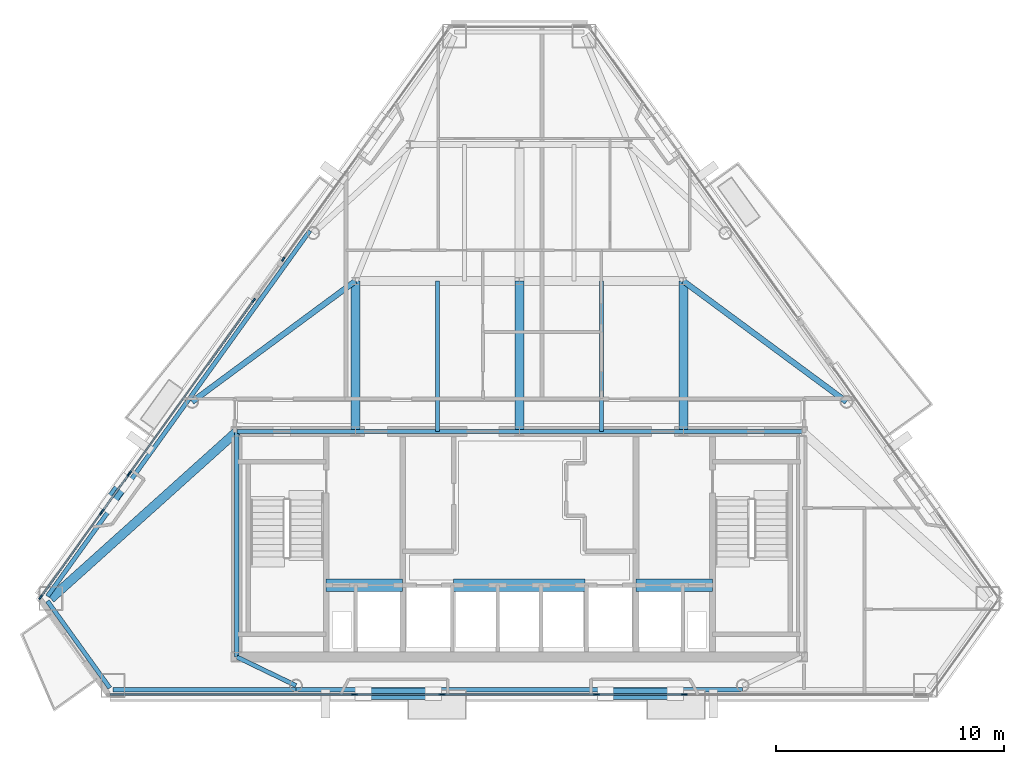
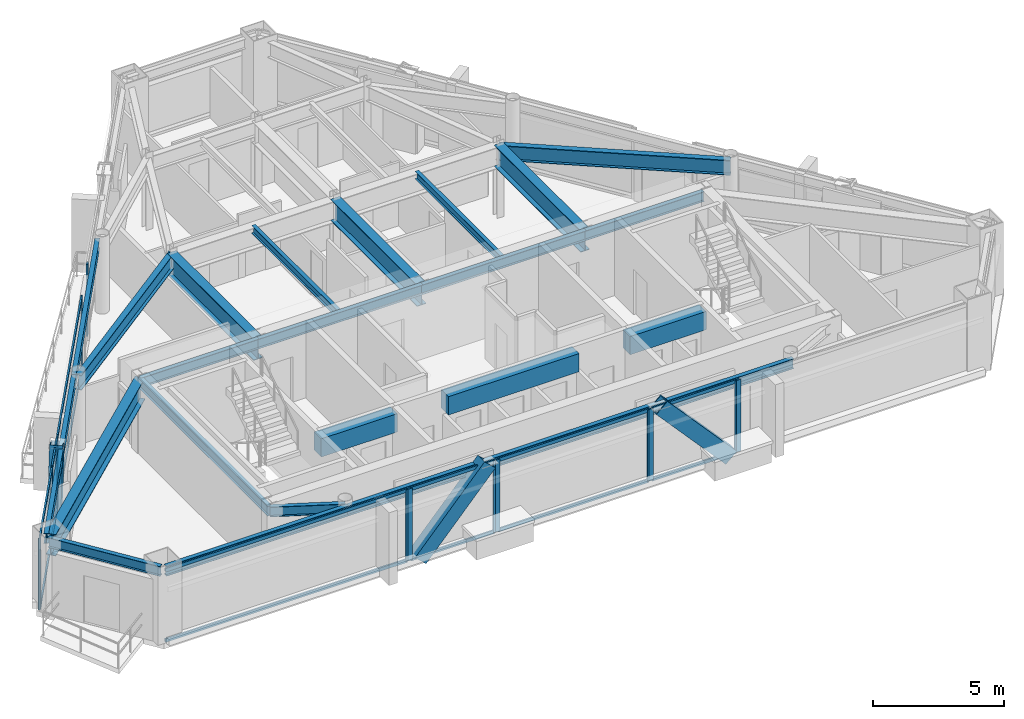
# One storey, part 3 of 11: 32 members, 22 beams, 9 elements without a shape of their own.
"""IFC4 building model written with IfcOpenShell, lengths in metres."""

from ifc_helpers import new_model, si_unit, direction, frame, origin, origin_2d, place, context, subcontext, project, spatial, rectangle, hollow_rectangle, i_section, extrude, material, layer, layer_set, material_profile, profile_set, type_object, element, aggregate, save


model = new_model("IFC4")

# Units and contexts
model_context = context("Model", 3, precision=1e-05, world=origin(), true_north=direction((0.0, 1.0)))
body_context = subcontext(model_context, "Body", "Model", "MODEL_VIEW")
ifc_project = project(units=[si_unit("LENGTHUNIT", "METRE"), si_unit("AREAUNIT", "SQUARE_METRE"), si_unit("VOLUMEUNIT", "CUBIC_METRE"), si_unit("PLANEANGLEUNIT", "RADIAN"), si_unit("MASSUNIT", "GRAM", prefix="KILO")], contexts=[model_context])

# Site, building, storey
site_placement = place(None, origin())
site = spatial("IfcSite", under=ifc_project, at=site_placement, CompositionType="ELEMENT")
building_placement = place(site_placement, origin())
building = spatial("IfcBuilding", under=site, at=building_placement, Name="Talgorran Terracotta Tower", CompositionType="ELEMENT")
storey_placement = place(building_placement, frame((0.0, 0.0, 218.10009765625)))
storey = spatial("IfcBuildingStorey", under=building, at=storey_placement, Name="L57", CompositionType="ELEMENT", Elevation=218.10009765625)

# Beams
ifc_material_1 = material(Name="Steel Grade 350 (350L0)", Category="steel")
ifc_material_profile_1 = material_profile(ifc_material_1, i_section(OverallWidth=0.39990234375, OverallDepth=1.0, WebThickness=0.01611328125, FlangeThickness=0.031005859375, at=origin_2d()), Name="1000WB296")
ifc_profile_set_1 = profile_set([ifc_material_profile_1], Name="Steel Grade 350 (350L0)")
beam_type_1 = type_object("IfcBeamType", Name="BM_1000WB296", PredefinedType="BEAM", material=ifc_profile_set_1)
for number, where, z_axis, x_axis, name in (
    (1, (-7.199951171875, -4.199951171875, 2.844970703125), (0.0, 1.0, 0.0), (-1.0, 0.0, 0.0), "L57 Floor Girder G01"),
    (2, (0.0, -4.199951171875, 2.844970703125), (0.0, 1.0, 0.0), (-1.0, 0.0, 0.0), "L57 Floor Girder G02"),
    (3, (7.199951171875, -4.199951171875, 2.844970703125), (0.0, 1.0, 0.0), (-1.0, 0.0, 0.0), "L57 Floor Girder G03"),
):
    element("IfcBeam", number, at=place(storey_placement, frame(where, z_axis=z_axis, x_axis=x_axis)), inside=storey, type_object=beam_type_1, Name=name, PredefinedType="BEAM", context=body_context, shape_type="SweptSolid", body=[
        extrude(i_section(OverallWidth=0.39990234375, OverallDepth=1.0, WebThickness=0.01611328125, FlangeThickness=0.031005859375, at=origin_2d()), origin(), (0.0, 0.0, 1.0), 6.599853515625),
    ])
beam_1_placement = place(storey_placement, frame((-12.39990234375, -4.199951171875, 2.844970703125), z_axis=(-0.743768255752, -0.668437567567, 0.0), x_axis=(0.668437567567, -0.743768255752, 0.0)))
element("IfcBeam", 4, at=beam_1_placement, inside=storey, type_object=beam_type_1, Name="L57 Floor Girder G17", PredefinedType="BEAM", context=body_context, shape_type="SweptSolid", body=[
    extrude(i_section(OverallWidth=0.39990234375, OverallDepth=1.0, WebThickness=0.01611328125, FlangeThickness=0.031005859375, at=origin_2d()), origin(), (0.0, 0.0, 1.0), 10.980224609375),
])
ifc_material_2 = material(Name="Steel S355 (300PLUS)", Category="steel")
ifc_material_profile_2 = material_profile(ifc_material_2, i_section(OverallWidth=0.25, OverallDepth=0.699951171875, WebThickness=0.011962890625, FlangeThickness=0.02392578125, at=origin_2d()), Name="700WB150")
ifc_profile_set_2 = profile_set([ifc_material_profile_2], Name="Steel S355 (300PLUS)")
beam_type_2 = type_object("IfcBeamType", Name="BM_700WB150", PredefinedType="BEAM", material=ifc_profile_set_2)
for number, where, z_axis, x_axis, name in (
    (5, (-7.199951171875, 2.39990234375, 2.994873046875), (-0.804042856359, -0.594571345708, 0.0), (0.594571345708, -0.804042856359, 0.0), "L57 Floor Girder G06"),
    (6, (7.199951171875, 2.39990234375, 2.994873046875), (0.804042856359, -0.594571345708, 0.0), (0.594571345708, 0.804042856359, 0.0), "L57 Floor Girder G07"),
):
    element("IfcBeam", number, at=place(storey_placement, frame(where, z_axis=z_axis, x_axis=x_axis)), inside=storey, type_object=beam_type_2, Name=name, PredefinedType="BEAM", context=body_context, shape_type="SweptSolid", body=[
        extrude(i_section(OverallWidth=0.25, OverallDepth=0.699951171875, WebThickness=0.011962890625, FlangeThickness=0.02392578125, at=origin_2d()), origin(), (0.0, 0.0, 1.0), 8.9091796875),
    ])
ifc_material_3 = material(Name="Concrete C50/60", Category="concrete")
ifc_material_profile_3 = material_profile(ifc_material_3, rectangle(XDim=0.550048828125, YDim=0.85009765625, at=origin_2d()), Name="RCCB550X850")
ifc_profile_set_3 = profile_set([ifc_material_profile_3], Name="Concrete C50/60")
beam_type_3 = type_object("IfcBeamType", Name="BM_CB_550X850", PredefinedType="LINTEL", material=ifc_profile_set_3)
beam_2_placement = place(storey_placement, frame((-8.47998046875, -10.949951171875, 2.919921875), z_axis=(1.0, 0.0, 0.0), x_axis=(0.0, 1.0, 0.0)))
element("IfcBeam", 7, at=beam_2_placement, inside=storey, type_object=beam_type_3, Name="L57 Core Shear-Wall Coupling Beam CB1", PredefinedType="LINTEL", context=body_context, shape_type="SweptSolid", body=[
    extrude(rectangle(XDim=0.550048828125, YDim=0.85009765625, at=origin_2d()), origin(), (0.0, 0.0, 1.0), 3.35986328125),
])
beam_3_placement = place(storey_placement, frame((-2.8798828125, -10.949951171875, 2.919921875), z_axis=(1.0, 0.0, 0.0), x_axis=(0.0, 1.0, 0.0)))
element("IfcBeam", 8, at=beam_3_placement, inside=storey, type_object=beam_type_3, Name="L57 Core Shear-Wall Coupling Beam CB2", PredefinedType="LINTEL", context=body_context, shape_type="SweptSolid", body=[
    extrude(rectangle(XDim=0.550048828125, YDim=0.85009765625, at=origin_2d()), origin(), (0.0, 0.0, 1.0), 5.759765625),
])
beam_4_placement = place(storey_placement, frame((5.1201171875, -10.949951171875, 2.919921875), z_axis=(1.0, 0.0, 0.0), x_axis=(0.0, 1.0, 0.0)))
element("IfcBeam", 9, at=beam_4_placement, inside=storey, type_object=beam_type_3, Name="L57 Core Shear-Wall Coupling Beam CB3", PredefinedType="LINTEL", context=body_context, shape_type="SweptSolid", body=[
    extrude(rectangle(XDim=0.550048828125, YDim=0.85009765625, at=origin_2d()), origin(), (0.0, 0.0, 1.0), 3.35986328125),
])
ifc_material_profile_4 = material_profile(ifc_material_2, i_section(OverallWidth=0.17138671875, OverallDepth=0.355712890625, WebThickness=0.00732421875, FlangeThickness=0.011474609375, at=origin_2d()), Name="360UB50.7")
ifc_profile_set_4 = profile_set([ifc_material_profile_4], Name="Steel S355 (300PLUS)")
beam_type_4 = type_object("IfcBeamType", Name="BM_JS_360UB51", PredefinedType="JOIST", material=ifc_profile_set_4)
for number, where, z_axis, x_axis, name in (
    (10, (-3.60009765625, -4.199951171875, 3.1669921875), (0.0, 1.0, 0.0), (-1.0, 0.0, 0.0), "L57 Secondary Joist J01"),
    (11, (3.60009765625, -4.199951171875, 3.1669921875), (0.0, 1.0, 0.0), (-1.0, 0.0, 0.0), "L57 Secondary Joist J02"),
):
    element("IfcBeam", number, at=place(storey_placement, frame(where, z_axis=z_axis, x_axis=x_axis)), inside=storey, type_object=beam_type_4, Name=name, PredefinedType="JOIST", context=body_context, shape_type="SweptSolid", body=[
        extrude(i_section(OverallWidth=0.17138671875, OverallDepth=0.355712890625, WebThickness=0.00732421875, FlangeThickness=0.011474609375, at=origin_2d()), origin(), (0.0, 0.0, 1.0), 6.599853515625),
    ])
ifc_material_profile_5 = material_profile(ifc_material_2, i_section(OverallWidth=0.18994140625, OverallDepth=0.45703125, WebThickness=0.009033203125, FlangeThickness=0.014404296875, at=origin_2d()), Name="460UB74.6")
ifc_profile_set_5 = profile_set([ifc_material_profile_5], Name="Steel S355 (300PLUS)")
beam_type_5 = type_object("IfcBeamType", Name="BM_SP_460UB74", PredefinedType="SPANDREL", material=ifc_profile_set_5)
beam_5_placement = place(storey_placement, frame((-20.712890625, -11.64453125, 3.116455078125), z_axis=(0.583096756271, -0.812402715915, 0.0), x_axis=(0.812402715915, 0.583096756271, 0.0)))
element("IfcBeam", 12, at=beam_5_placement, inside=storey, type_object=beam_type_5, Name="L57 Perimeter Spandrel Beam MC1-MC2", PredefinedType="SPANDREL", context=body_context, shape_type="SweptSolid", body=[
    extrude(i_section(OverallWidth=0.18994140625, OverallDepth=0.45703125, WebThickness=0.009033203125, FlangeThickness=0.014404296875, at=origin_2d()), origin(), (0.0, 0.0, 1.0), 4.693115234375),
])
beam_6_placement = place(storey_placement, frame((-17.830078125, -15.5322265625, 3.116455078125), z_axis=(1.0, 0.0, 0.0), x_axis=(0.0, 1.0, 0.0)))
element("IfcBeam", 13, at=beam_6_placement, inside=storey, type_object=beam_type_5, Name="L57 Perimeter Spandrel Beam MC2-FC1", PredefinedType="SPANDREL", context=body_context, shape_type="SweptSolid", body=[
    extrude(i_section(OverallWidth=0.18994140625, OverallDepth=0.45703125, WebThickness=0.009033203125, FlangeThickness=0.014404296875, at=origin_2d()), origin(), (0.0, 0.0, 1.0), 8.0234375),
])
beam_7_placement = place(storey_placement, frame((-9.806640625, -15.5322265625, 3.116455078125), z_axis=(1.0, 0.0, 0.0), x_axis=(0.0, 1.0, 0.0)))
element("IfcBeam", 14, at=beam_7_placement, inside=storey, type_object=beam_type_5, Name="L57 Perimeter Spandrel Beam FC1-FC2", PredefinedType="SPANDREL", context=body_context, shape_type="SweptSolid", body=[
    extrude(i_section(OverallWidth=0.18994140625, OverallDepth=0.45703125, WebThickness=0.009033203125, FlangeThickness=0.014404296875, at=origin_2d()), origin(), (0.0, 0.0, 1.0), 19.61328125),
])
beam_8_placement = place(storey_placement, frame((-9.192626953125, 4.615478515625, 3.116455078125), z_axis=(-0.583100770976, -0.812399834372, 0.0), x_axis=(0.812399834372, -0.583100770976, 0.0)))
element("IfcBeam", 15, at=beam_8_placement, inside=storey, type_object=beam_type_5, Name="L57 Perimeter Spandrel Beam FC5-FC6", PredefinedType="SPANDREL", context=body_context, shape_type="SweptSolid", body=[
    extrude(i_section(OverallWidth=0.18994140625, OverallDepth=0.45703125, WebThickness=0.009033203125, FlangeThickness=0.014404296875, at=origin_2d()), origin(), (0.0, 0.0, 1.0), 9.118408203125),
])
beam_9_placement = place(storey_placement, frame((-14.509521484375, -2.792236328125, 3.116455078125), z_axis=(-0.583120966057, -0.812385338953, 0.0), x_axis=(0.812385338953, -0.583120966057, 0.0)))
element("IfcBeam", 16, at=beam_9_placement, inside=storey, type_object=beam_type_5, Name="L57 Perimeter Spandrel Beam FC6-MC1", PredefinedType="SPANDREL", context=body_context, shape_type="SweptSolid", body=[
    extrude(i_section(OverallWidth=0.18994140625, OverallDepth=0.45703125, WebThickness=0.009033203125, FlangeThickness=0.014404296875, at=origin_2d()), origin(), (0.0, 0.0, 1.0), 10.63818359375),
])
beam_10_placement = place(storey_placement, frame((-9.806640625, -15.352294921875, 3.116455078125), z_axis=(-0.900513862936, 0.434827302109, 0.0), x_axis=(-0.434827302109, -0.900513862936, 0.0)))
element("IfcBeam", 17, at=beam_10_placement, inside=storey, type_object=beam_type_5, Name="L57 South-West Core Tie Beam", PredefinedType="SPANDREL", context=body_context, shape_type="SweptSolid", body=[
    extrude(i_section(OverallWidth=0.18994140625, OverallDepth=0.45703125, WebThickness=0.009033203125, FlangeThickness=0.014404296875, at=origin_2d()), origin(), (0.0, 0.0, 1.0), 2.879638671875),
])
beam_11_placement = place(storey_placement, frame((-12.39990234375, -14.10009765625, 3.116455078125), z_axis=(0.0, 1.0, 0.0), x_axis=(-1.0, 0.0, 0.0)))
element("IfcBeam", 18, at=beam_11_placement, inside=storey, type_object=beam_type_5, Name="L57 Core Frame Beam CFW", PredefinedType="SPANDREL", context=body_context, shape_type="SweptSolid", body=[
    extrude(i_section(OverallWidth=0.18994140625, OverallDepth=0.45703125, WebThickness=0.009033203125, FlangeThickness=0.014404296875, at=origin_2d()), origin(), (0.0, 0.0, 1.0), 9.900146484375),
])
beam_12_placement = place(storey_placement, frame((-12.39990234375, -4.199951171875, 3.116455078125), z_axis=(1.0, 0.0, 0.0), x_axis=(0.0, 1.0, 0.0)))
element("IfcBeam", 19, at=beam_12_placement, inside=storey, type_object=beam_type_5, Name="L57 Core Frame Beam CFN1", PredefinedType="SPANDREL", context=body_context, shape_type="SweptSolid", body=[
    extrude(i_section(OverallWidth=0.18994140625, OverallDepth=0.45703125, WebThickness=0.009033203125, FlangeThickness=0.014404296875, at=origin_2d()), origin(), (0.0, 0.0, 1.0), 5.199951171875),
])
for number, where, z_axis, x_axis, name in (
    (20, (-7.199951171875, -4.199951171875, 3.116455078125), (1.0, 0.0, 0.0), (0.0, 1.0, 0.0), "L57 Core Frame Beam CFN2"),
    (21, (0.0, -4.199951171875, 3.116455078125), (1.0, 0.0, 0.0), (0.0, 1.0, 0.0), "L57 Core Frame Beam CFN3"),
):
    element("IfcBeam", number, at=place(storey_placement, frame(where, z_axis=z_axis, x_axis=x_axis)), inside=storey, type_object=beam_type_5, Name=name, PredefinedType="SPANDREL", context=body_context, shape_type="SweptSolid", body=[
        extrude(i_section(OverallWidth=0.18994140625, OverallDepth=0.45703125, WebThickness=0.009033203125, FlangeThickness=0.014404296875, at=origin_2d()), origin(), (0.0, 0.0, 1.0), 7.199951171875),
    ])
beam_13_placement = place(storey_placement, frame((7.199951171875, -4.199951171875, 3.116455078125), z_axis=(1.0, 0.0, 0.0), x_axis=(0.0, 1.0, 0.0)))
element("IfcBeam", 22, at=beam_13_placement, inside=storey, type_object=beam_type_5, Name="L57 Core Frame Beam CFN4", PredefinedType="SPANDREL", context=body_context, shape_type="SweptSolid", body=[
    extrude(i_section(OverallWidth=0.18994140625, OverallDepth=0.45703125, WebThickness=0.009033203125, FlangeThickness=0.014404296875, at=origin_2d()), origin(), (0.0, 0.0, 1.0), 5.199951171875),
])

# Members
ifc_material_profile_6 = material_profile(ifc_material_1, hollow_rectangle(XDim=0.52001953125, YDim=0.659912109375, WallThickness=0.034912109375, at=origin_2d()), Name="WBOX660X520X35")
ifc_profile_set_6 = profile_set([ifc_material_profile_6], Name="Steel Grade 350 (350L0)")
member_type_1 = type_object("IfcMemberType", Name="MB_MEGA_660", PredefinedType="BRACE", material=ifc_profile_set_6)
for number, where, z_axis, x_axis, name in (
    (23, (-6.845703125, -15.712158203125, -0.025146484375), (0.669808027282, 0.0, 0.742534313408), (0.0, 1.0, 0.0), "L57 Exterior Face Mega-Brace MB-3 (SWF)"),
    (24, (6.845703125, -15.712158203125, -0.025146484375), (-0.669808027282, 0.0, 0.742534313408), (0.0, -1.0, 0.0), "L57 Exterior Face Mega-Brace MB-3 (SEF)"),
):
    element("IfcMember", number, at=place(storey_placement, frame(where, z_axis=z_axis, x_axis=x_axis)), inside=storey, type_object=member_type_1, Name=name, PredefinedType="BRACE", context=body_context, shape_type="SweptSolid", body=[
        extrude(hollow_rectangle(XDim=0.52001953125, YDim=0.659912109375, WallThickness=0.034912109375, at=origin_2d()), origin(), (0.0, 0.0, 1.0), 4.572265625),
    ])
member_1_placement = place(storey_placement, frame((-18.02490234375, -7.380859375, -0.025146484375), z_axis=(0.18574859012, 0.258821063004, 0.947897208886), x_axis=(-0.812430285491, 0.583058342893, 0.0)))
element("IfcMember", 25, at=member_1_placement, inside=storey, type_object=member_type_1, Name="L57 Exterior Face Mega-Brace MB-3 (NWL)", PredefinedType="BRACE", context=body_context, shape_type="SweptSolid", body=[
    extrude(hollow_rectangle(XDim=0.52001953125, YDim=0.659912109375, WallThickness=0.034912109375, at=origin_2d()), origin(), (0.0, 0.0, 1.0), 3.58154296875),
])

# Curtain wall, member
ifc_material_4 = material(Name="High-Wind Unitised Glazing", Category="glass")
ifc_layer = layer(ifc_material_4, 0.2099609375, Name="CW_SYS3_RES_HIGH")
ifc_layer_set = layer_set([ifc_layer], Name="High-Wind Unitised Glazing")
curtain_wall_type = type_object("IfcCurtainWallType", Name="CW_SYS3_RES_HIGH", PredefinedType="NOTDEFINED", material=ifc_layer_set)
curtain_wall_1_placement = place(storey_placement, origin())
curtain_wall_1 = element("IfcCurtainWall", 26, at=curtain_wall_1_placement, inside=storey, type_object=curtain_wall_type, Name="CW-L57-F1", PredefinedType="NOTDEFINED")
ifc_material_5 = material(Name="Architectural Aluminium 6063-T6", Category="aluminium")
ifc_material_profile_7 = material_profile(ifc_material_5, rectangle(XDim=0.070068359375, YDim=0.199951171875, at=origin_2d()), Name="CWM70X200")
ifc_profile_set_7 = profile_set([ifc_material_profile_7], Name="Architectural Aluminium 6063-T6")
member_type_2 = type_object("IfcMemberType", Name="MUL_70X200", PredefinedType="MULLION", material=ifc_profile_set_7)
member_2_placement = place(storey_placement, frame((-7.28076171875, -15.752197265625, 0.0), z_axis=(0.0, 0.0, 1.0), x_axis=(0.0, 1.0, 0.0)))
member_2 = element("IfcMember", 27, at=member_2_placement, type_object=member_type_2, Name="CW-L57-1 mullion 2", PredefinedType="MULLION", context=body_context, shape_type="SweptSolid", body=[
    extrude(rectangle(XDim=0.070068359375, YDim=0.199951171875, at=origin_2d()), origin(), (0.0, 0.0, 1.0), 3.344970703125),
])

# Curtain wall, members
curtain_wall_2_placement = place(storey_placement, origin())
curtain_wall_2 = element("IfcCurtainWall", 28, at=curtain_wall_2_placement, inside=storey, type_object=curtain_wall_type, Name="CW-L57-F1B", PredefinedType="NOTDEFINED")
member_3_placement = place(storey_placement, frame((-7.20068359375, -15.752197265625, 0.0), z_axis=(0.0, 0.0, 1.0), x_axis=(0.0, 1.0, 0.0)))
member_3 = element("IfcMember", 29, at=member_3_placement, type_object=member_type_2, Name="CW-L57-1B mullion 1", PredefinedType="MULLION", context=body_context, shape_type="SweptSolid", body=[
    extrude(rectangle(XDim=0.070068359375, YDim=0.199951171875, at=origin_2d()), origin(), (0.0, 0.0, 1.0), 3.344970703125),
])
member_4_placement = place(storey_placement, frame((-3.427978515625, -15.752197265625, 0.0), z_axis=(0.0, 0.0, 1.0), x_axis=(0.0, 1.0, 0.0)))
member_4 = element("IfcMember", 30, at=member_4_placement, type_object=member_type_2, Name="CW-L57-1B mullion 2", PredefinedType="MULLION", context=body_context, shape_type="SweptSolid", body=[
    extrude(rectangle(XDim=0.070068359375, YDim=0.199951171875, at=origin_2d()), origin(), (0.0, 0.0, 1.0), 3.344970703125),
])

curtain_wall_3_placement = place(storey_placement, origin())
curtain_wall_3 = element("IfcCurtainWall", 31, at=curtain_wall_3_placement, inside=storey, type_object=curtain_wall_type, Name="CW-L57-F1C", PredefinedType="NOTDEFINED")
member_5_placement = place(storey_placement, frame((-3.34814453125, -15.752197265625, 0.0), z_axis=(0.0, 0.0, 1.0), x_axis=(0.0, 1.0, 0.0)))
member_5 = element("IfcMember", 32, at=member_5_placement, type_object=member_type_2, Name="CW-L57-1C mullion 1", PredefinedType="MULLION", context=body_context, shape_type="SweptSolid", body=[
    extrude(rectangle(XDim=0.070068359375, YDim=0.199951171875, at=origin_2d()), origin(), (0.0, 0.0, 1.0), 3.344970703125),
])
member_6_placement = place(storey_placement, frame((3.34814453125, -15.752197265625, 0.0), z_axis=(0.0, 0.0, 1.0), x_axis=(0.0, 1.0, 0.0)))
member_6 = element("IfcMember", 33, at=member_6_placement, type_object=member_type_2, Name="CW-L57-1C mullion 2", PredefinedType="MULLION", context=body_context, shape_type="SweptSolid", body=[
    extrude(rectangle(XDim=0.070068359375, YDim=0.199951171875, at=origin_2d()), origin(), (0.0, 0.0, 1.0), 3.344970703125),
])

curtain_wall_4_placement = place(storey_placement, origin())
curtain_wall_4 = element("IfcCurtainWall", 34, at=curtain_wall_4_placement, inside=storey, type_object=curtain_wall_type, Name="CW-L57-F1D", PredefinedType="NOTDEFINED")
member_7_placement = place(storey_placement, frame((3.427978515625, -15.752197265625, 0.0), z_axis=(0.0, 0.0, 1.0), x_axis=(0.0, 1.0, 0.0)))
member_7 = element("IfcMember", 35, at=member_7_placement, type_object=member_type_2, Name="CW-L57-1D mullion 1", PredefinedType="MULLION", context=body_context, shape_type="SweptSolid", body=[
    extrude(rectangle(XDim=0.070068359375, YDim=0.199951171875, at=origin_2d()), origin(), (0.0, 0.0, 1.0), 3.344970703125),
])
member_8_placement = place(storey_placement, frame((7.20068359375, -15.752197265625, 0.0), z_axis=(0.0, 0.0, 1.0), x_axis=(0.0, 1.0, 0.0)))
member_8 = element("IfcMember", 36, at=member_8_placement, type_object=member_type_2, Name="CW-L57-1D mullion 2", PredefinedType="MULLION", context=body_context, shape_type="SweptSolid", body=[
    extrude(rectangle(XDim=0.070068359375, YDim=0.199951171875, at=origin_2d()), origin(), (0.0, 0.0, 1.0), 3.344970703125),
])

# Curtain wall, member
curtain_wall_5_placement = place(storey_placement, origin())
curtain_wall_5 = element("IfcCurtainWall", 37, at=curtain_wall_5_placement, inside=storey, type_object=curtain_wall_type, Name="CW-L57-F1E", PredefinedType="NOTDEFINED")
member_9_placement = place(storey_placement, frame((7.28076171875, -15.752197265625, 0.0), z_axis=(0.0, 0.0, 1.0), x_axis=(0.0, 1.0, 0.0)))
member_9 = element("IfcMember", 38, at=member_9_placement, type_object=member_type_2, Name="CW-L57-1E mullion 1", PredefinedType="MULLION", context=body_context, shape_type="SweptSolid", body=[
    extrude(rectangle(XDim=0.070068359375, YDim=0.199951171875, at=origin_2d()), origin(), (0.0, 0.0, 1.0), 3.344970703125),
])
aggregate(curtain_wall_5, [member_9])

curtain_wall_6_placement = place(storey_placement, origin())
curtain_wall_6 = element("IfcCurtainWall", 39, at=curtain_wall_6_placement, inside=storey, type_object=curtain_wall_type, Name="CW-L57-F60C", PredefinedType="NOTDEFINED")
member_10_placement = place(storey_placement, frame((-10.36328125, 3.361572265625, 0.0), z_axis=(0.0, 0.0, 1.0), x_axis=(0.812389554572, -0.583115092947, 0.0)))
member_10 = element("IfcMember", 40, at=member_10_placement, type_object=member_type_2, Name="CW-L57-60C mullion 2", PredefinedType="MULLION", context=body_context, shape_type="SweptSolid", body=[
    extrude(rectangle(XDim=0.070068359375, YDim=0.199951171875, at=origin_2d()), origin(), (0.0, 0.0, 1.0), 3.344970703125),
])
aggregate(curtain_wall_6, [member_10])

# Curtain wall, members
curtain_wall_7_placement = place(storey_placement, origin())
curtain_wall_7 = element("IfcCurtainWall", 41, at=curtain_wall_7_placement, inside=storey, type_object=curtain_wall_type, Name="CW-L57-F61", PredefinedType="NOTDEFINED")
member_11_placement = place(storey_placement, frame((-11.663818359375, 1.550048828125, 0.0), z_axis=(0.0, 0.0, 1.0), x_axis=(0.812387242817, -0.583118313645, 0.0)))
member_11 = element("IfcMember", 42, at=member_11_placement, type_object=member_type_2, Name="CW-L57-61 mullion 1", PredefinedType="MULLION", context=body_context, shape_type="SweptSolid", body=[
    extrude(rectangle(XDim=0.070068359375, YDim=0.199951171875, at=origin_2d()), origin(), (0.0, 0.0, 1.0), 3.344970703125),
])
member_12_placement = place(storey_placement, frame((-17.098876953125, -6.02197265625, 0.0), z_axis=(0.0, 0.0, 1.0), x_axis=(0.812387242817, -0.583118313645, 0.0)))
member_12 = element("IfcMember", 43, at=member_12_placement, type_object=member_type_2, Name="CW-L57-61 mullion 2", PredefinedType="MULLION", context=body_context, shape_type="SweptSolid", body=[
    extrude(rectangle(XDim=0.070068359375, YDim=0.199951171875, at=origin_2d()), origin(), (0.0, 0.0, 1.0), 3.344970703125),
])

curtain_wall_8_placement = place(storey_placement, origin())
curtain_wall_8 = element("IfcCurtainWall", 44, at=curtain_wall_8_placement, inside=storey, type_object=curtain_wall_type, Name="CW-L57-F61B", PredefinedType="NOTDEFINED")
member_13_placement = place(storey_placement, frame((-17.1455078125, -6.087158203125, 0.0), z_axis=(0.0, 0.0, 1.0), x_axis=(0.812381021692, -0.583126980678, 0.0)))
member_13 = element("IfcMember", 45, at=member_13_placement, type_object=member_type_2, Name="CW-L57-61B mullion 1", PredefinedType="MULLION", context=body_context, shape_type="SweptSolid", body=[
    extrude(rectangle(XDim=0.070068359375, YDim=0.199951171875, at=origin_2d()), origin(), (0.0, 0.0, 1.0), 3.344970703125),
])
member_14_placement = place(storey_placement, frame((-18.303955078125, -7.701171875, 0.0), z_axis=(0.0, 0.0, 1.0), x_axis=(0.812381021692, -0.583126980678, 0.0)))
member_14 = element("IfcMember", 46, at=member_14_placement, type_object=member_type_2, Name="CW-L57-61B mullion 2", PredefinedType="MULLION", context=body_context, shape_type="SweptSolid", body=[
    extrude(rectangle(XDim=0.070068359375, YDim=0.199951171875, at=origin_2d()), origin(), (0.0, 0.0, 1.0), 3.344970703125),
])

curtain_wall_9_placement = place(storey_placement, origin())
curtain_wall_9 = element("IfcCurtainWall", 47, at=curtain_wall_9_placement, inside=storey, type_object=curtain_wall_type, Name="CW-L57-F61C", PredefinedType="NOTDEFINED")
member_15_placement = place(storey_placement, frame((-18.3505859375, -7.76611328125, 0.0), z_axis=(0.0, 0.0, 1.0), x_axis=(0.812395984405, -0.58310613487, 0.0)))
member_15 = element("IfcMember", 48, at=member_15_placement, type_object=member_type_2, Name="CW-L57-61C mullion 1", PredefinedType="MULLION", context=body_context, shape_type="SweptSolid", body=[
    extrude(rectangle(XDim=0.070068359375, YDim=0.199951171875, at=origin_2d()), origin(), (0.0, 0.0, 1.0), 3.344970703125),
])
member_16_placement = place(storey_placement, frame((-21.015380859375, -11.478759765625, 0.0), z_axis=(0.0, 0.0, 1.0), x_axis=(0.812395984405, -0.58310613487, 0.0)))
member_16 = element("IfcMember", 49, at=member_16_placement, type_object=member_type_2, Name="CW-L57-61C mullion 2", PredefinedType="MULLION", context=body_context, shape_type="SweptSolid", body=[
    extrude(rectangle(XDim=0.070068359375, YDim=0.199951171875, at=origin_2d()), origin(), (0.0, 0.0, 1.0), 3.344970703125),
])

# Member
ifc_material_profile_8 = material_profile(ifc_material_5, rectangle(XDim=0.070068359375, YDim=0.159912109375, at=origin_2d()), Name="CWT70X160")
ifc_profile_set_8 = profile_set([ifc_material_profile_8], Name="Architectural Aluminium 6063-T6")
member_type_3 = type_object("IfcMemberType", Name="TRN_70X160", PredefinedType="USERDEFINED", material=ifc_profile_set_8)
member_17_placement = place(storey_placement, frame((-17.96533203125, -15.752197265625, 0.034912109375), z_axis=(1.0, 0.0, 0.0), x_axis=(0.0, 1.0, 0.0)))
member_17 = element("IfcMember", 50, at=member_17_placement, type_object=member_type_3, Name="CW-L57-1 transom 1.1", ObjectType="TRANSOM", PredefinedType="USERDEFINED", context=body_context, shape_type="SweptSolid", body=[
    extrude(rectangle(XDim=0.070068359375, YDim=0.159912109375, at=origin_2d()), origin(), (0.0, 0.0, 1.0), 10.649658203125),
])

member_18_placement = place(storey_placement, frame((-17.96533203125, -15.752197265625, 3.309814453125), z_axis=(1.0, 0.0, 0.0), x_axis=(0.0, 1.0, 0.0)))
member_18 = element("IfcMember", 51, at=member_18_placement, type_object=member_type_3, Name="CW-L57-1 transom 1.2", ObjectType="TRANSOM", PredefinedType="USERDEFINED", context=body_context, shape_type="SweptSolid", body=[
    extrude(rectangle(XDim=0.070068359375, YDim=0.159912109375, at=origin_2d()), origin(), (0.0, 0.0, 1.0), 10.649658203125),
])

aggregate(curtain_wall_1, [member_2, member_17, member_18])

member_19_placement = place(storey_placement, frame((-7.165771484375, -15.752197265625, 0.034912109375), z_axis=(1.0, 0.0, 0.0), x_axis=(0.0, 1.0, 0.0)))
member_19 = element("IfcMember", 52, at=member_19_placement, type_object=member_type_3, Name="CW-L57-1B transom 1.1", ObjectType="TRANSOM", PredefinedType="USERDEFINED", context=body_context, shape_type="SweptSolid", body=[
    extrude(rectangle(XDim=0.070068359375, YDim=0.159912109375, at=origin_2d()), origin(), (0.0, 0.0, 1.0), 3.70263671875),
])

member_20_placement = place(storey_placement, frame((-7.165771484375, -15.752197265625, 3.309814453125), z_axis=(1.0, 0.0, 0.0), x_axis=(0.0, 1.0, 0.0)))
member_20 = element("IfcMember", 53, at=member_20_placement, type_object=member_type_3, Name="CW-L57-1B transom 1.2", ObjectType="TRANSOM", PredefinedType="USERDEFINED", context=body_context, shape_type="SweptSolid", body=[
    extrude(rectangle(XDim=0.070068359375, YDim=0.159912109375, at=origin_2d()), origin(), (0.0, 0.0, 1.0), 3.70263671875),
])

aggregate(curtain_wall_2, [member_3, member_4, member_19, member_20])

member_21_placement = place(storey_placement, frame((-3.31298828125, -15.752197265625, 0.034912109375), z_axis=(1.0, 0.0, 0.0), x_axis=(0.0, 1.0, 0.0)))
member_21 = element("IfcMember", 54, at=member_21_placement, type_object=member_type_3, Name="CW-L57-1C transom 1.1", ObjectType="TRANSOM", PredefinedType="USERDEFINED", context=body_context, shape_type="SweptSolid", body=[
    extrude(rectangle(XDim=0.070068359375, YDim=0.159912109375, at=origin_2d()), origin(), (0.0, 0.0, 1.0), 6.6259765625),
])

member_22_placement = place(storey_placement, frame((-3.31298828125, -15.752197265625, 3.309814453125), z_axis=(1.0, 0.0, 0.0), x_axis=(0.0, 1.0, 0.0)))
member_22 = element("IfcMember", 55, at=member_22_placement, type_object=member_type_3, Name="CW-L57-1C transom 1.2", ObjectType="TRANSOM", PredefinedType="USERDEFINED", context=body_context, shape_type="SweptSolid", body=[
    extrude(rectangle(XDim=0.070068359375, YDim=0.159912109375, at=origin_2d()), origin(), (0.0, 0.0, 1.0), 6.6259765625),
])

aggregate(curtain_wall_3, [member_5, member_6, member_21, member_22])

member_23_placement = place(storey_placement, frame((3.463134765625, -15.752197265625, 0.034912109375), z_axis=(1.0, 0.0, 0.0), x_axis=(0.0, 1.0, 0.0)))
member_23 = element("IfcMember", 56, at=member_23_placement, type_object=member_type_3, Name="CW-L57-1D transom 1.1", ObjectType="TRANSOM", PredefinedType="USERDEFINED", context=body_context, shape_type="SweptSolid", body=[
    extrude(rectangle(XDim=0.070068359375, YDim=0.159912109375, at=origin_2d()), origin(), (0.0, 0.0, 1.0), 3.70263671875),
])

member_24_placement = place(storey_placement, frame((3.463134765625, -15.752197265625, 3.309814453125), z_axis=(1.0, 0.0, 0.0), x_axis=(0.0, 1.0, 0.0)))
member_24 = element("IfcMember", 57, at=member_24_placement, type_object=member_type_3, Name="CW-L57-1D transom 1.2", ObjectType="TRANSOM", PredefinedType="USERDEFINED", context=body_context, shape_type="SweptSolid", body=[
    extrude(rectangle(XDim=0.070068359375, YDim=0.159912109375, at=origin_2d()), origin(), (0.0, 0.0, 1.0), 3.70263671875),
])

aggregate(curtain_wall_4, [member_7, member_8, member_23, member_24])

member_25_placement = place(storey_placement, frame((-11.68408203125, 1.521484375, 0.034912109375), z_axis=(-0.583121491061, -0.81238496211, 0.0), x_axis=(0.81238496211, -0.583121491061, 0.0)))
member_25 = element("IfcMember", 58, at=member_25_placement, type_object=member_type_3, Name="CW-L57-61 transom 1.1", ObjectType="TRANSOM", PredefinedType="USERDEFINED", context=body_context, shape_type="SweptSolid", body=[
    extrude(rectangle(XDim=0.070068359375, YDim=0.159912109375, at=origin_2d()), origin(), (0.0, 0.0, 1.0), 9.250732421875),
])

member_26_placement = place(storey_placement, frame((-11.68408203125, 1.521484375, 3.309814453125), z_axis=(-0.583121491061, -0.81238496211, 0.0), x_axis=(0.81238496211, -0.583121491061, 0.0)))
member_26 = element("IfcMember", 59, at=member_26_placement, type_object=member_type_3, Name="CW-L57-61 transom 1.2", ObjectType="TRANSOM", PredefinedType="USERDEFINED", context=body_context, shape_type="SweptSolid", body=[
    extrude(rectangle(XDim=0.070068359375, YDim=0.159912109375, at=origin_2d()), origin(), (0.0, 0.0, 1.0), 9.250732421875),
])

aggregate(curtain_wall_7, [member_11, member_12, member_25, member_26])

member_27_placement = place(storey_placement, frame((-17.165771484375, -6.115478515625, 0.034912109375), z_axis=(-0.5831162641, -0.812388713943, 0.0), x_axis=(0.812388713943, -0.5831162641, 0.0)))
member_27 = element("IfcMember", 60, at=member_27_placement, type_object=member_type_3, Name="CW-L57-61B transom 1.1", ObjectType="TRANSOM", PredefinedType="USERDEFINED", context=body_context, shape_type="SweptSolid", body=[
    extrude(rectangle(XDim=0.070068359375, YDim=0.159912109375, at=origin_2d()), origin(), (0.0, 0.0, 1.0), 1.916748046875),
])

member_28_placement = place(storey_placement, frame((-17.165771484375, -6.115478515625, 3.309814453125), z_axis=(-0.5831162641, -0.812388713943, 0.0), x_axis=(0.812388713943, -0.5831162641, 0.0)))
member_28 = element("IfcMember", 61, at=member_28_placement, type_object=member_type_3, Name="CW-L57-61B transom 1.2", ObjectType="TRANSOM", PredefinedType="USERDEFINED", context=body_context, shape_type="SweptSolid", body=[
    extrude(rectangle(XDim=0.070068359375, YDim=0.159912109375, at=origin_2d()), origin(), (0.0, 0.0, 1.0), 1.916748046875),
])

aggregate(curtain_wall_8, [member_13, member_14, member_27, member_28])

member_29_placement = place(storey_placement, frame((-18.37109375, -7.79443359375, 0.034912109375), z_axis=(-0.583079176459, -0.812415333423, 0.0), x_axis=(0.812415333423, -0.583079176459, 0.0)))
member_29 = element("IfcMember", 62, at=member_29_placement, type_object=member_type_3, Name="CW-L57-61C transom 1.1", ObjectType="TRANSOM", PredefinedType="USERDEFINED", context=body_context, shape_type="SweptSolid", body=[
    extrude(rectangle(XDim=0.070068359375, YDim=0.159912109375, at=origin_2d()), origin(), (0.0, 0.0, 1.0), 4.499755859375),
])

member_30_placement = place(storey_placement, frame((-18.37109375, -7.79443359375, 3.309814453125), z_axis=(-0.583079176459, -0.812415333423, 0.0), x_axis=(0.812415333423, -0.583079176459, 0.0)))
member_30 = element("IfcMember", 63, at=member_30_placement, type_object=member_type_3, Name="CW-L57-61C transom 1.2", ObjectType="TRANSOM", PredefinedType="USERDEFINED", context=body_context, shape_type="SweptSolid", body=[
    extrude(rectangle(XDim=0.070068359375, YDim=0.159912109375, at=origin_2d()), origin(), (0.0, 0.0, 1.0), 4.499755859375),
])

aggregate(curtain_wall_9, [member_15, member_16, member_29, member_30])

save(model, "model.ifc")
